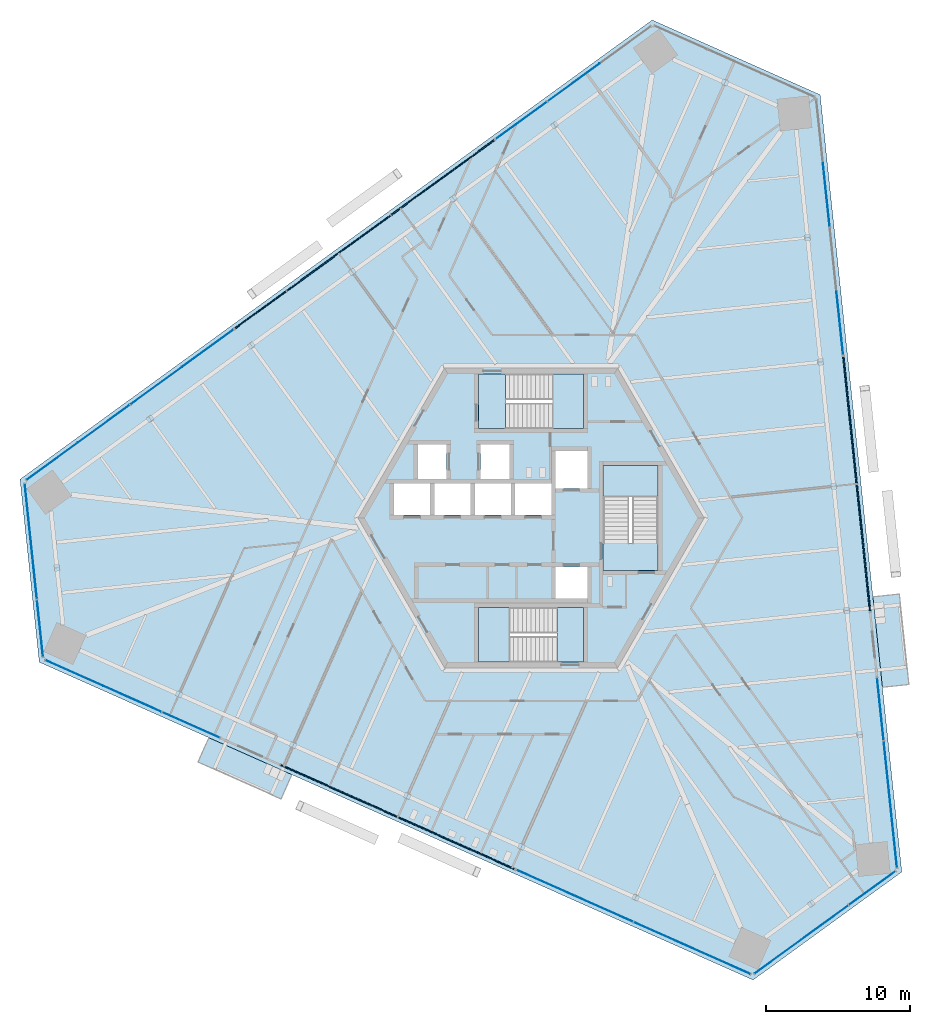
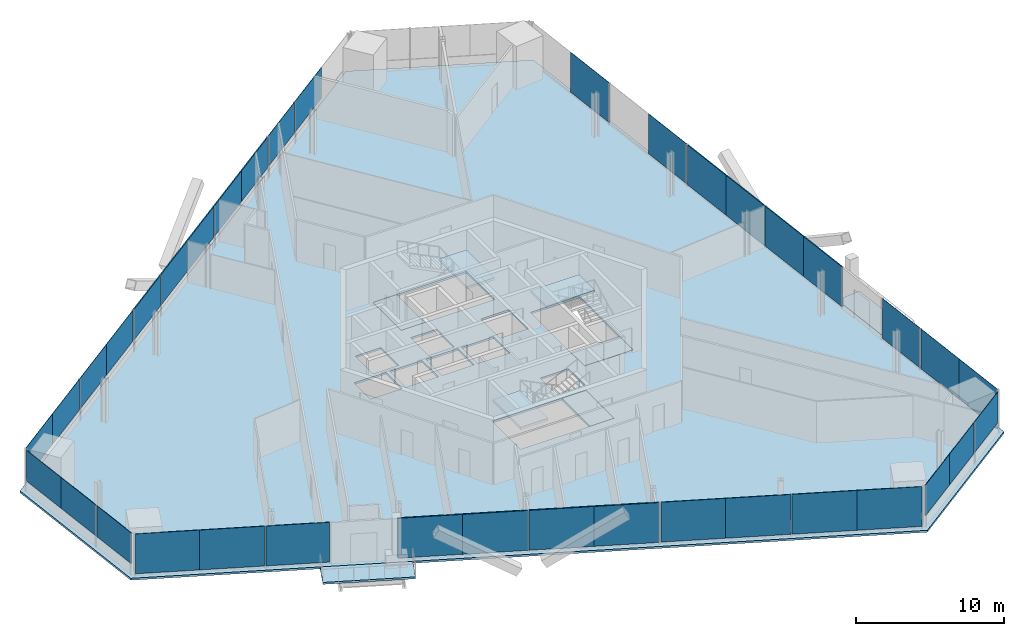
# One storey, part 10 of 19: 37 plates, 9 slabs, 14 elements without a shape of their own.
"""IFC4 building model written with IfcOpenShell, lengths in metres."""

from ifc_helpers import new_model, si_unit, direction, frame, origin, origin_2d, place, context, subcontext, project, spatial, polyline, rectangle, outline, extrude, source, transform, mapped, material, layer, layer_set, type_object, element, aggregate, save


model = new_model("IFC4")

# Units and contexts
model_context = context("Model", 3, precision=1e-05, world=origin(), true_north=direction((0.0, 1.0)))
body_context = subcontext(model_context, "Body", "Model", "MODEL_VIEW")
ifc_project = project(units=[si_unit("LENGTHUNIT", "METRE"), si_unit("AREAUNIT", "SQUARE_METRE"), si_unit("VOLUMEUNIT", "CUBIC_METRE"), si_unit("PLANEANGLEUNIT", "RADIAN"), si_unit("MASSUNIT", "GRAM", prefix="KILO")], contexts=[model_context])

# Site, building, storey
site_placement = place(None, origin())
site = spatial("IfcSite", under=ifc_project, at=site_placement, CompositionType="ELEMENT")
building_placement = place(site_placement, origin())
building = spatial("IfcBuilding", under=site, at=building_placement, Name="Triune Harvest Tower", CompositionType="ELEMENT")
storey_placement = place(building_placement, frame((0.0, 0.0, 76.5)))
storey = spatial("IfcBuildingStorey", under=building, at=storey_placement, Name="L18", CompositionType="ELEMENT", Elevation=76.5)

# Slabs
ifc_material_1 = material(Name="Concrete 40 MPa", Category="concrete")
ifc_layer_1 = layer(ifc_material_1, 0.159912109375)
ifc_layer_set_1 = layer_set([ifc_layer_1], Name="Concrete 40 MPa")
slab_type_1 = type_object("IfcSlabType", Name="BA-1 balcony slab 160", PredefinedType="FLOOR", material=ifc_layer_set_1)
slab_1_placement = place(storey_placement, frame((0.0, 0.0, -0.159912109375)))
element("IfcSlab", 1, at=slab_1_placement, inside=storey, type_object=slab_type_1, Name="Balcony slab B2-F1 L18.4", PredefinedType="FLOOR", context=body_context, shape_type="SweptSolid", body=[
    extrude(outline(polyline([(24.357421875, -11.732177734375), (23.69873046875, -5.46484375), (25.533447265625, -5.272216796875), (26.192138671875, -11.539306640625), (24.357421875, -11.732177734375)])), origin(), (0.0, 0.0, 1.0), 0.159912109375),
])
slab_2_placement = place(storey_placement, frame((0.0, 0.0, -0.159912109375)))
element("IfcSlab", 2, at=slab_2_placement, inside=storey, type_object=slab_type_1, Name="Balcony slab B2-F5 L18.4", PredefinedType="FLOOR", context=body_context, shape_type="SweptSolid", body=[
    extrude(outline(polyline([(-22.339111328125, -15.228271484375), (-16.582275390625, -17.791259765625), (-17.33251953125, -19.4765625), (-23.08935546875, -16.913330078125), (-22.339111328125, -15.228271484375)])), origin(), (0.0, 0.0, 1.0), 0.159912109375),
])
ifc_material_2 = material(Name="Concrete 40 MPa", Category="concrete")
ifc_layer_2 = layer(ifc_material_2, 0.159912109375)
ifc_layer_set_2 = layer_set([ifc_layer_2], Name="Concrete 40 MPa")
slab_type_2 = type_object("IfcSlabType", Name="SL-1 Composite floor slab 160", PredefinedType="FLOOR", material=ifc_layer_set_2)
shared_shape_1 = source(origin(), body_context, "Body", "SweptSolid", [
    extrude(outline(polyline([(25.703125, -24.534423828125), (20.04052734375, 29.34228515625), (8.395751953125, 34.526611328125), (-35.431396484375, 2.6845703125), (-34.098876953125, -9.992431640625), (15.390869140625, -32.026611328125), (25.703125, -24.534423828125)]), holes=[polyline([(-7.0, 0.2099609375), (-7.0, 2.409912109375), (-9.5, 2.409912109375), (-9.5, 0.2099609375), (-7.0, 0.2099609375)]), polyline([(-4.199951171875, 0.2099609375), (-4.199951171875, 2.409912109375), (-6.699951171875, 2.409912109375), (-6.699951171875, 0.2099609375), (-4.199951171875, 0.2099609375)]), polyline([(-1.39990234375, 0.2099609375), (-1.39990234375, 2.409912109375), (-3.89990234375, 2.409912109375), (-3.89990234375, 0.2099609375), (-1.39990234375, 0.2099609375)]), polyline([(1.39990234375, 0.2099609375), (1.39990234375, 2.409912109375), (-1.10009765625, 2.409912109375), (-1.10009765625, 0.2099609375), (1.39990234375, 0.2099609375)]), polyline([(3.89990234375, 2.06005859375), (3.89990234375, 4.659912109375), (1.699951171875, 4.659912109375), (1.699951171875, 2.06005859375), (3.89990234375, 2.06005859375)]), polyline([(3.89990234375, -5.590087890625), (3.89990234375, -3.389892578125), (1.699951171875, -3.389892578125), (1.699951171875, -5.590087890625), (3.89990234375, -5.590087890625)]), polyline([(-5.85009765625, 2.7099609375), (-5.85009765625, 5.110107421875), (-7.85009765625, 5.110107421875), (-7.85009765625, 2.7099609375), (-5.85009765625, 2.7099609375)]), polyline([(-1.5, 2.7099609375), (-1.5, 5.110107421875), (-3.5, 5.110107421875), (-3.5, 2.7099609375), (-1.5, 2.7099609375)]), polyline([(3.64990234375, 6.18994140625), (3.64990234375, 9.989990234375), (-3.64990234375, 9.989990234375), (-3.64990234375, 6.18994140625), (3.64990234375, 6.18994140625)]), polyline([(3.64990234375, -9.989990234375), (3.64990234375, -6.18994140625), (-3.64990234375, -6.18994140625), (-3.64990234375, -9.989990234375), (3.64990234375, -9.989990234375)]), polyline([(8.800048828125, -3.64990234375), (8.800048828125, 3.64990234375), (5.0, 3.64990234375), (5.0, -3.64990234375), (8.800048828125, -3.64990234375)])]), origin(), (0.0, 0.0, 1.0), 0.159912109375),
])
slab_3_placement = place(storey_placement, frame((0.0, 0.0, -0.159912109375)))
element("IfcSlab", 3, at=slab_3_placement, inside=storey, type_object=slab_type_2, Name="slab/L18/1", PredefinedType="FLOOR", context=body_context, shape_type="MappedRepresentation", body=[
    mapped(shared_shape_1, transform((0.0, 0.0, 0.0), scale=1.0)),
])

# Stair, slabs
ifc_material_3 = material(Name="Concrete 40 MPa", Category="concrete")
stair_type = type_object("IfcStairType", Name="Exit stair 1800 half turn", PredefinedType="HALF_TURN_STAIR", material=ifc_material_3)
stair_1_placement = place(storey_placement, origin())
stair_1 = element("IfcStair", 4, at=stair_1_placement, inside=storey, type_object=stair_type, Name="Exit stair north", PredefinedType="HALF_TURN_STAIR")
ifc_material_4 = material(Name="Concrete 40 MPa", Category="concrete")
ifc_layer_3 = layer(ifc_material_4, 0.199951171875)
ifc_layer_set_3 = layer_set([ifc_layer_3], Name="Concrete 40 MPa")
slab_type_3 = type_object("IfcSlabType", Name="Stair landing 200", PredefinedType="LANDING", material=ifc_layer_set_3)
shared_shape_2 = source(origin(), body_context, "Body", "SweptSolid", [
    extrude(outline(polyline([(1.510009765625, 6.18994140625), (3.64990234375, 6.18994140625), (3.64990234375, 9.989990234375), (1.510009765625, 9.989990234375), (1.510009765625, 6.18994140625)])), origin(), (0.0, 0.0, 1.0), 0.199951171875),
])
slab_4_placement = place(storey_placement, frame((0.0, 0.0, 1.60009765625)))
slab_4 = element("IfcSlab", 5, at=slab_4_placement, type_object=slab_type_3, Name="ST-1 landing 2", PredefinedType="LANDING", context=body_context, shape_type="MappedRepresentation", body=[
    mapped(shared_shape_2, transform((0.0, 0.0, 0.0), scale=1.0)),
])
shared_shape_3 = source(origin(), body_context, "Body", "SweptSolid", [
    extrude(outline(polyline([(-3.64990234375, 6.18994140625), (-1.780029296875, 6.18994140625), (-1.780029296875, 9.989990234375), (-3.64990234375, 9.989990234375), (-3.64990234375, 6.18994140625)])), origin(), (0.0, 0.0, 1.0), 0.199951171875),
])
slab_5_placement = place(storey_placement, frame((0.0, 0.0, -0.199951171875)))
slab_5 = element("IfcSlab", 6, at=slab_5_placement, type_object=slab_type_3, Name="ST-1 landing 1", PredefinedType="LANDING", context=body_context, shape_type="MappedRepresentation", body=[
    mapped(shared_shape_3, transform((0.0, 0.0, 0.0), scale=1.0)),
])
aggregate(stair_1, [slab_5, slab_4])

stair_2_placement = place(storey_placement, origin())
stair_2 = element("IfcStair", 7, at=stair_2_placement, inside=storey, type_object=stair_type, Name="Exit stair south", PredefinedType="HALF_TURN_STAIR")
shared_shape_4 = source(origin(), body_context, "Body", "SweptSolid", [
    extrude(outline(polyline([(-1.510009765625, -6.18994140625), (-3.64990234375, -6.18994140625), (-3.64990234375, -9.989990234375), (-1.510009765625, -9.989990234375), (-1.510009765625, -6.18994140625)])), origin(), (0.0, 0.0, 1.0), 0.199951171875),
])
slab_6_placement = place(storey_placement, frame((0.0, 0.0, 1.60009765625)))
slab_6 = element("IfcSlab", 8, at=slab_6_placement, type_object=slab_type_3, Name="ST-2 landing 2", PredefinedType="LANDING", context=body_context, shape_type="MappedRepresentation", body=[
    mapped(shared_shape_4, transform((0.0, 0.0, 0.0), scale=1.0)),
])
shared_shape_5 = source(origin(), body_context, "Body", "SweptSolid", [
    extrude(outline(polyline([(3.64990234375, -6.18994140625), (1.780029296875, -6.18994140625), (1.780029296875, -9.989990234375), (3.64990234375, -9.989990234375), (3.64990234375, -6.18994140625)])), origin(), (0.0, 0.0, 1.0), 0.199951171875),
])
slab_7_placement = place(storey_placement, frame((0.0, 0.0, -0.199951171875)))
slab_7 = element("IfcSlab", 9, at=slab_7_placement, type_object=slab_type_3, Name="ST-2 landing 1", PredefinedType="LANDING", context=body_context, shape_type="MappedRepresentation", body=[
    mapped(shared_shape_5, transform((0.0, 0.0, 0.0), scale=1.0)),
])
aggregate(stair_2, [slab_7, slab_6])

stair_3_placement = place(storey_placement, origin())
stair_3 = element("IfcStair", 10, at=stair_3_placement, inside=storey, type_object=stair_type, Name="Exit stair east", PredefinedType="HALF_TURN_STAIR")
shared_shape_6 = source(origin(), body_context, "Body", "SweptSolid", [
    extrude(outline(polyline([(8.800048828125, 1.510009765625), (8.800048828125, 3.64990234375), (5.0, 3.64990234375), (5.0, 1.510009765625), (8.800048828125, 1.510009765625)])), origin(), (0.0, 0.0, 1.0), 0.199951171875),
])
slab_8_placement = place(storey_placement, frame((0.0, 0.0, 1.60009765625)))
slab_8 = element("IfcSlab", 11, at=slab_8_placement, type_object=slab_type_3, Name="ST-3 landing 2", PredefinedType="LANDING", context=body_context, shape_type="MappedRepresentation", body=[
    mapped(shared_shape_6, transform((0.0, 0.0, 0.0), scale=1.0)),
])
shared_shape_7 = source(origin(), body_context, "Body", "SweptSolid", [
    extrude(outline(polyline([(8.800048828125, -3.64990234375), (8.800048828125, -1.780029296875), (5.0, -1.780029296875), (5.0, -3.64990234375), (8.800048828125, -3.64990234375)])), origin(), (0.0, 0.0, 1.0), 0.199951171875),
])
slab_9_placement = place(storey_placement, frame((0.0, 0.0, -0.199951171875)))
slab_9 = element("IfcSlab", 12, at=slab_9_placement, type_object=slab_type_3, Name="ST-3 landing 1", PredefinedType="LANDING", context=body_context, shape_type="MappedRepresentation", body=[
    mapped(shared_shape_7, transform((0.0, 0.0, 0.0), scale=1.0)),
])
aggregate(stair_3, [slab_9, slab_8])

# Curtain wall, plates
ifc_material_5 = material(Name="Aluminium bronze anodised", Category="aluminium")
curtain_wall_type_1 = type_object("IfcCurtainWallType", Name="CW-1 Tower stick curtain wall", PredefinedType="NOTDEFINED", material=ifc_material_5)
curtain_wall_1_placement = place(storey_placement, origin())
curtain_wall_1 = element("IfcCurtainWall", 13, at=curtain_wall_1_placement, inside=storey, type_object=curtain_wall_type_1, Name="CW-1 B2-F4 L18 run 1")
ifc_material_6 = material(Name="Glass", Category="glass")
ifc_layer_4 = layer(ifc_material_6, 0.031982421875)
ifc_layer_set_4 = layer_set([ifc_layer_4], Name="Glass")
plate_type_1 = type_object("IfcPlateType", Name="GL-1 panel 32", PredefinedType="CURTAIN_PANEL", material=ifc_layer_set_4)
shared_shape_8 = source(origin(), body_context, "Body", "SweptSolid", [
    extrude(rectangle(XDim=3.99853515625, YDim=0.031982421875, at=origin_2d()), origin(), (0.0, 0.0, 1.0), 2.5400390625),
])
plate_1_placement = place(storey_placement, frame((-34.888671875, 0.39111328125, 0.89990234375), z_axis=(0.0, 0.0, 1.0), x_axis=(0.104529462601, -0.994521790334, 0.0)))
plate_1 = element("IfcPlate", 14, at=plate_1_placement, type_object=plate_type_1, Name="CW-1 panel B2-F4 1.1", PredefinedType="CURTAIN_PANEL", context=body_context, shape_type="MappedRepresentation", body=[
    mapped(shared_shape_8, transform((0.0, 0.0, 0.0), scale=1.0)),
])
shared_shape_9 = source(origin(), body_context, "Body", "SweptSolid", [
    extrude(rectangle(XDim=4.035888671875, YDim=0.031982421875, at=origin_2d()), origin(), (0.0, 0.0, 1.0), 2.5400390625),
])
plate_2_placement = place(storey_placement, frame((-34.46875, -3.60400390625, 0.89990234375), z_axis=(0.0, 0.0, 1.0), x_axis=(0.104529462601, -0.994521790334, 0.0)))
plate_2 = element("IfcPlate", 15, at=plate_2_placement, type_object=plate_type_1, Name="CW-1 panel B2-F4 1.2", PredefinedType="CURTAIN_PANEL", context=body_context, shape_type="MappedRepresentation", body=[
    mapped(shared_shape_9, transform((0.0, 0.0, 0.0), scale=1.0)),
])

# Curtain wall, plate
curtain_wall_2_placement = place(storey_placement, origin())
curtain_wall_2 = element("IfcCurtainWall", 16, at=curtain_wall_2_placement, inside=storey, type_object=curtain_wall_type_1, Name="CW-1 B2-F6 L18 run 1")
plate_3_placement = place(storey_placement, frame((20.35546875, -28.048828125, 0.89990234375), z_axis=(0.0, 0.0, 1.0), x_axis=(0.809013235692, 0.58779042564, 0.0)))
plate_3 = element("IfcPlate", 17, at=plate_3_placement, type_object=plate_type_1, Name="CW-1 panel B2-F6 1.2", PredefinedType="CURTAIN_PANEL", context=body_context, shape_type="MappedRepresentation", body=[
    mapped(shared_shape_9, transform((0.0, 0.0, 0.0), scale=1.0)),
])

# Plate
shared_shape_10 = source(origin(), body_context, "Body", "SweptSolid", [
    extrude(rectangle(XDim=3.9609375, YDim=0.031982421875, at=origin_2d()), origin(), (0.0, 0.0, 1.0), 2.5400390625),
])
plate_4_placement = place(storey_placement, frame((-34.04296875, -7.655029296875, 0.89990234375), z_axis=(0.0, 0.0, 1.0), x_axis=(0.104529462601, -0.994521790334, 0.0)))
plate_4 = element("IfcPlate", 18, at=plate_4_placement, type_object=plate_type_1, Name="CW-1 panel B2-F4 1.3", PredefinedType="CURTAIN_PANEL", context=body_context, shape_type="MappedRepresentation", body=[
    mapped(shared_shape_10, transform((0.0, 0.0, 0.0), scale=1.0)),
])

aggregate(curtain_wall_1, [plate_1, plate_2, plate_4])

plate_5_placement = place(storey_placement, frame((23.65087890625, -25.654541015625, 0.89990234375), z_axis=(0.0, 0.0, 1.0), x_axis=(0.809013235692, 0.58779042564, 0.0)))
plate_5 = element("IfcPlate", 19, at=plate_5_placement, type_object=plate_type_1, Name="CW-1 panel B2-F6 1.3", PredefinedType="CURTAIN_PANEL", context=body_context, shape_type="MappedRepresentation", body=[
    mapped(shared_shape_10, transform((0.0, 0.0, 0.0), scale=1.0)),
])

shared_shape_11 = source(origin(), body_context, "Body", "SweptSolid", [
    extrude(rectangle(XDim=3.998291015625, YDim=0.031982421875, at=origin_2d()), origin(), (0.0, 0.0, 1.0), 2.5400390625),
])
plate_6_placement = place(storey_placement, frame((17.10546875, -30.41015625, 0.89990234375), z_axis=(0.0, 0.0, 1.0), x_axis=(0.809013235692, 0.58779042564, 0.0)))
plate_6 = element("IfcPlate", 20, at=plate_6_placement, type_object=plate_type_1, Name="CW-1 panel B2-F6 1.1", PredefinedType="CURTAIN_PANEL", context=body_context, shape_type="MappedRepresentation", body=[
    mapped(shared_shape_11, transform((0.0, 0.0, 0.0), scale=1.0)),
])

aggregate(curtain_wall_2, [plate_6, plate_3, plate_5])

# Curtain wall, plate
ifc_material_7 = material(Name="Aluminium bronze anodised", Category="aluminium")
curtain_wall_type_2 = type_object("IfcCurtainWallType", Name="CW-6 Balcony window wall", PredefinedType="NOTDEFINED", material=ifc_material_7)
curtain_wall_3_placement = place(storey_placement, origin())
curtain_wall_3 = element("IfcCurtainWall", 21, at=curtain_wall_3_placement, inside=storey, type_object=curtain_wall_type_2, Name="CW-6 B2-F1 L18 run 1002")
ifc_material_8 = material(Name="Glass", Category="glass")
ifc_layer_5 = layer(ifc_material_8, 0.030029296875)
ifc_layer_set_5 = layer_set([ifc_layer_5], Name="Glass")
plate_type_2 = type_object("IfcPlateType", Name="GL-6 panel 30", PredefinedType="CURTAIN_PANEL", material=ifc_layer_set_5)
shared_shape_12 = source(origin(), body_context, "Body", "SweptSolid", [
    extrude(rectangle(XDim=4.3994140625, YDim=0.030029296875, at=origin_2d()), origin(), (0.0, 0.0, 1.0), 3.2900390625),
])
plate_7_placement = place(storey_placement, frame((21.402587890625, 13.511962890625, 0.14990234375), z_axis=(0.0, 0.0, 1.0), x_axis=(-0.104529095521, 0.994521828916, 0.0)))
plate_7 = element("IfcPlate", 22, at=plate_7_placement, type_object=plate_type_2, Name="CW-6 panel B2-F1 1002.1", PredefinedType="CURTAIN_PANEL", context=body_context, shape_type="MappedRepresentation", body=[
    mapped(shared_shape_12, transform((0.0, 0.0, 0.0), scale=1.0)),
])

# Curtain wall, plates
curtain_wall_4_placement = place(storey_placement, origin())
curtain_wall_4 = element("IfcCurtainWall", 23, at=curtain_wall_4_placement, inside=storey, type_object=curtain_wall_type_2, Name="CW-6 B2-F5 L18 run 1002")
plate_8_placement = place(storey_placement, frame((1.00048828125, -25.291259765625, 0.14990234375), z_axis=(0.0, 0.0, 1.0), x_axis=(0.91354518491, -0.406737255643, 0.0)))
plate_8 = element("IfcPlate", 24, at=plate_8_placement, type_object=plate_type_2, Name="CW-6 panel B2-F5 1002.1", PredefinedType="CURTAIN_PANEL", context=body_context, shape_type="MappedRepresentation", body=[
    mapped(shared_shape_12, transform((0.0, 0.0, 0.0), scale=1.0)),
])
plate_9_placement = place(storey_placement, frame((13.194580078125, -30.720458984375, 0.14990234375), z_axis=(0.0, 0.0, 1.0), x_axis=(0.91354518491, -0.406737255643, 0.0)))
plate_9 = element("IfcPlate", 25, at=plate_9_placement, type_object=plate_type_2, Name="CW-6 panel B2-F5 1002.4", PredefinedType="CURTAIN_PANEL", context=body_context, shape_type="MappedRepresentation", body=[
    mapped(shared_shape_12, transform((0.0, 0.0, 0.0), scale=1.0)),
])

# Plate
shared_shape_13 = source(origin(), body_context, "Body", "SweptSolid", [
    extrude(rectangle(XDim=4.436767578125, YDim=0.030029296875, at=origin_2d()), origin(), (0.0, 0.0, 1.0), 3.2900390625),
])
plate_10_placement = place(storey_placement, frame((20.46923828125, 22.39306640625, 0.14990234375), z_axis=(0.0, 0.0, 1.0), x_axis=(-0.104529095521, 0.994521828916, 0.0)))
plate_10 = element("IfcPlate", 26, at=plate_10_placement, type_object=plate_type_2, Name="CW-6 panel B2-F1 1002.3", PredefinedType="CURTAIN_PANEL", context=body_context, shape_type="MappedRepresentation", body=[
    mapped(shared_shape_13, transform((0.0, 0.0, 0.0), scale=1.0)),
])

aggregate(curtain_wall_3, [plate_7, plate_10])

plate_11_placement = place(storey_placement, frame((5.03662109375, -27.08837890625, 0.14990234375), z_axis=(0.0, 0.0, 1.0), x_axis=(0.91354518491, -0.406737255643, 0.0)))
plate_11 = element("IfcPlate", 27, at=plate_11_placement, type_object=plate_type_2, Name="CW-6 panel B2-F5 1002.2", PredefinedType="CURTAIN_PANEL", context=body_context, shape_type="MappedRepresentation", body=[
    mapped(shared_shape_13, transform((0.0, 0.0, 0.0), scale=1.0)),
])

plate_12_placement = place(storey_placement, frame((9.158447265625, -28.92333984375, 0.14990234375), z_axis=(0.0, 0.0, 1.0), x_axis=(0.91354518491, -0.406737255643, 0.0)))
plate_12 = element("IfcPlate", 28, at=plate_12_placement, type_object=plate_type_2, Name="CW-6 panel B2-F5 1002.3", PredefinedType="CURTAIN_PANEL", context=body_context, shape_type="MappedRepresentation", body=[
    mapped(shared_shape_13, transform((0.0, 0.0, 0.0), scale=1.0)),
])

aggregate(curtain_wall_4, [plate_8, plate_11, plate_12, plate_9])

# Curtain wall, plates
ifc_material_9 = material(Name="Aluminium bronze anodised", Category="aluminium")
curtain_wall_type_3 = type_object("IfcCurtainWallType", Name="CW-7 Tower stick curtain wall with insulated spandrel infill", PredefinedType="NOTDEFINED", material=ifc_material_9)
curtain_wall_5_placement = place(storey_placement, origin())
curtain_wall_5 = element("IfcCurtainWall", 29, at=curtain_wall_5_placement, inside=storey, type_object=curtain_wall_type_3, Name="CW-7 B2-F3 L18 run 1001")
ifc_material_10 = material(Name="Insulated spandrel panel, bronze aluminium pan", Category="aluminium")
ifc_layer_6 = layer(ifc_material_10, 0.080078125)
ifc_layer_set_6 = layer_set([ifc_layer_6], Name="Insulated spandrel panel, bronze aluminium pan")
plate_type_3 = type_object("IfcPlateType", Name="SP-1 insulated spandrel panel 80", PredefinedType="CURTAIN_PANEL", material=ifc_layer_set_6)
shared_shape_14 = source(origin(), body_context, "Body", "SweptSolid", [
    extrude(rectangle(XDim=4.3955078125, YDim=0.080078125, at=origin_2d()), origin(), (0.0, 0.0, 1.0), 2.5400390625),
])
plate_13_placement = place(storey_placement, frame((-4.329833984375, 24.91015625, 0.89990234375), z_axis=(0.0, 0.0, 1.0), x_axis=(-0.809015925746, -0.587786723131, 0.0)))
plate_13 = element("IfcPlate", 30, at=plate_13_placement, type_object=plate_type_3, Name="CW-7 panel B2-F3 1001.1", PredefinedType="CURTAIN_PANEL", context=body_context, shape_type="MappedRepresentation", body=[
    mapped(shared_shape_14, transform((0.0, 0.0, 0.0), scale=1.0)),
])
shared_shape_15 = source(origin(), body_context, "Body", "SweptSolid", [
    extrude(rectangle(XDim=4.43310546875, YDim=0.080078125, at=origin_2d()), origin(), (0.0, 0.0, 1.0), 2.5400390625),
])
plate_14_placement = place(storey_placement, frame((-7.901123046875, 22.3154296875, 0.89990234375), z_axis=(0.0, 0.0, 1.0), x_axis=(-0.809015925746, -0.587786723131, 0.0)))
plate_14 = element("IfcPlate", 31, at=plate_14_placement, type_object=plate_type_3, Name="CW-7 panel B2-F3 1001.2", PredefinedType="CURTAIN_PANEL", context=body_context, shape_type="MappedRepresentation", body=[
    mapped(shared_shape_15, transform((0.0, 0.0, 0.0), scale=1.0)),
])
plate_15_placement = place(storey_placement, frame((-11.548095703125, 19.665771484375, 0.89990234375), z_axis=(0.0, 0.0, 1.0), x_axis=(-0.809015925746, -0.587786723131, 0.0)))
plate_15 = element("IfcPlate", 32, at=plate_15_placement, type_object=plate_type_3, Name="CW-7 panel B2-F3 1001.3", PredefinedType="CURTAIN_PANEL", context=body_context, shape_type="MappedRepresentation", body=[
    mapped(shared_shape_15, transform((0.0, 0.0, 0.0), scale=1.0)),
])
plate_16_placement = place(storey_placement, frame((-15.134521484375, 17.06005859375, 0.89990234375), z_axis=(0.0, 0.0, 1.0), x_axis=(-0.809015925746, -0.587786723131, 0.0)))
plate_16 = element("IfcPlate", 33, at=plate_16_placement, type_object=plate_type_3, Name="CW-7 panel B2-F3 1001.4", PredefinedType="CURTAIN_PANEL", context=body_context, shape_type="MappedRepresentation", body=[
    mapped(shared_shape_15, transform((0.0, 0.0, 0.0), scale=1.0)),
])

curtain_wall_6_placement = place(storey_placement, origin())
curtain_wall_6 = element("IfcCurtainWall", 34, at=curtain_wall_6_placement, inside=storey, type_object=curtain_wall_type_1, Name="CW-1 B2-F3 L18 run 2001")
shared_shape_16 = source(origin(), body_context, "Body", "SweptSolid", [
    extrude(rectangle(XDim=4.3955078125, YDim=0.031982421875, at=origin_2d()), origin(), (0.0, 0.0, 1.0), 2.5400390625),
])
plate_17_placement = place(storey_placement, frame((-22.41357421875, 11.771484375, 0.89990234375), z_axis=(0.0, 0.0, 1.0), x_axis=(-0.809018475536, -0.587783213644, 0.0)))
plate_17 = element("IfcPlate", 35, at=plate_17_placement, type_object=plate_type_1, Name="CW-1 panel B2-F3 2001.1", PredefinedType="CURTAIN_PANEL", context=body_context, shape_type="MappedRepresentation", body=[
    mapped(shared_shape_16, transform((0.0, 0.0, 0.0), scale=1.0)),
])
plate_18_placement = place(storey_placement, frame((-33.203369140625, 3.932373046875, 0.89990234375), z_axis=(0.0, 0.0, 1.0), x_axis=(-0.809018475536, -0.587783213644, 0.0)))
plate_18 = element("IfcPlate", 36, at=plate_18_placement, type_object=plate_type_1, Name="CW-1 panel B2-F3 2001.4", PredefinedType="CURTAIN_PANEL", context=body_context, shape_type="MappedRepresentation", body=[
    mapped(shared_shape_16, transform((0.0, 0.0, 0.0), scale=1.0)),
])

# Curtain wall, plate
curtain_wall_7_placement = place(storey_placement, origin())
curtain_wall_7 = element("IfcCurtainWall", 37, at=curtain_wall_7_placement, inside=storey, type_object=curtain_wall_type_1, Name="CW-1 B2-F3 L18 run 1")
shared_shape_17 = source(origin(), body_context, "Body", "SweptSolid", [
    extrude(rectangle(XDim=4.43310546875, YDim=0.031982421875, at=origin_2d()), origin(), (0.0, 0.0, 1.0), 2.5400390625),
])
plate_19_placement = place(storey_placement, frame((2.94921875, 30.19873046875, 0.89990234375), z_axis=(0.0, 0.0, 1.0), x_axis=(-0.809016876799, -0.587785414122, 0.0)))
plate_19 = element("IfcPlate", 38, at=plate_19_placement, type_object=plate_type_1, Name="CW-1 panel B2-F3 1.2", PredefinedType="CURTAIN_PANEL", context=body_context, shape_type="MappedRepresentation", body=[
    mapped(shared_shape_17, transform((0.0, 0.0, 0.0), scale=1.0)),
])

# Plate
plate_20_placement = place(storey_placement, frame((-25.98486328125, 9.1767578125, 0.89990234375), z_axis=(0.0, 0.0, 1.0), x_axis=(-0.809018475536, -0.587783213644, 0.0)))
plate_20 = element("IfcPlate", 39, at=plate_20_placement, type_object=plate_type_1, Name="CW-1 panel B2-F3 2001.2", PredefinedType="CURTAIN_PANEL", context=body_context, shape_type="MappedRepresentation", body=[
    mapped(shared_shape_17, transform((0.0, 0.0, 0.0), scale=1.0)),
])

plate_21_placement = place(storey_placement, frame((-29.632080078125, 6.527099609375, 0.89990234375), z_axis=(0.0, 0.0, 1.0), x_axis=(-0.809018475536, -0.587783213644, 0.0)))
plate_21 = element("IfcPlate", 40, at=plate_21_placement, type_object=plate_type_1, Name="CW-1 panel B2-F3 2001.3", PredefinedType="CURTAIN_PANEL", context=body_context, shape_type="MappedRepresentation", body=[
    mapped(shared_shape_17, transform((0.0, 0.0, 0.0), scale=1.0)),
])

aggregate(curtain_wall_6, [plate_17, plate_20, plate_21, plate_18])

shared_shape_18 = source(origin(), body_context, "Body", "SweptSolid", [
    extrude(rectangle(XDim=4.358154296875, YDim=0.031982421875, at=origin_2d()), origin(), (0.0, 0.0, 1.0), 2.5400390625),
])
plate_22_placement = place(storey_placement, frame((-0.66748046875, 27.571044921875, 0.89990234375), z_axis=(0.0, 0.0, 1.0), x_axis=(-0.809016876799, -0.587785414122, 0.0)))
plate_22 = element("IfcPlate", 41, at=plate_22_placement, type_object=plate_type_1, Name="CW-1 panel B2-F3 1.3", PredefinedType="CURTAIN_PANEL", context=body_context, shape_type="MappedRepresentation", body=[
    mapped(shared_shape_18, transform((0.0, 0.0, 0.0), scale=1.0)),
])

aggregate(curtain_wall_7, [plate_19, plate_22])

shared_shape_19 = source(origin(), body_context, "Body", "SweptSolid", [
    extrude(rectangle(XDim=4.358154296875, YDim=0.080078125, at=origin_2d()), origin(), (0.0, 0.0, 1.0), 2.5400390625),
])
plate_23_placement = place(storey_placement, frame((-18.75146484375, 14.432373046875, 0.89990234375), z_axis=(0.0, 0.0, 1.0), x_axis=(-0.809015925746, -0.587786723131, 0.0)))
plate_23 = element("IfcPlate", 42, at=plate_23_placement, type_object=plate_type_3, Name="CW-7 panel B2-F3 1001.5", PredefinedType="CURTAIN_PANEL", context=body_context, shape_type="MappedRepresentation", body=[
    mapped(shared_shape_19, transform((0.0, 0.0, 0.0), scale=1.0)),
])

aggregate(curtain_wall_5, [plate_13, plate_14, plate_15, plate_16, plate_23])

# Curtain wall, plates
ifc_material_11 = material(Name="Aluminium bronze anodised", Category="aluminium")
curtain_wall_type_4 = type_object("IfcCurtainWallType", Name="CW-10 Balcony window wall with insulated spandrel infill", PredefinedType="NOTDEFINED", material=ifc_material_11)
curtain_wall_8_placement = place(storey_placement, origin())
curtain_wall_8 = element("IfcCurtainWall", 43, at=curtain_wall_8_placement, inside=storey, type_object=curtain_wall_type_4, Name="CW-10 B2-F1 L18 run 2")
shared_shape_20 = source(origin(), body_context, "Body", "SweptSolid", [
    extrude(rectangle(XDim=4.3994140625, YDim=0.080078125, at=origin_2d()), origin(), (0.0, 0.0, 1.0), 3.2900390625),
])
plate_24_placement = place(storey_placement, frame((23.2734375, -4.287353515625, 0.14990234375), z_axis=(0.0, 0.0, 1.0), x_axis=(-0.104525977613, 0.994522156618, 0.0)))
plate_24 = element("IfcPlate", 44, at=plate_24_placement, type_object=plate_type_3, Name="CW-10 panel B2-F1 2.1", PredefinedType="CURTAIN_PANEL", context=body_context, shape_type="MappedRepresentation", body=[
    mapped(shared_shape_20, transform((0.0, 0.0, 0.0), scale=1.0)),
])
plate_25_placement = place(storey_placement, frame((21.878173828125, 8.987548828125, 0.14990234375), z_axis=(0.0, 0.0, 1.0), x_axis=(-0.104525977613, 0.994522156618, 0.0)))
plate_25 = element("IfcPlate", 45, at=plate_25_placement, type_object=plate_type_3, Name="CW-10 panel B2-F1 2.4", PredefinedType="CURTAIN_PANEL", context=body_context, shape_type="MappedRepresentation", body=[
    mapped(shared_shape_20, transform((0.0, 0.0, 0.0), scale=1.0)),
])

curtain_wall_9_placement = place(storey_placement, origin())
curtain_wall_9 = element("IfcCurtainWall", 46, at=curtain_wall_9_placement, inside=storey, type_object=curtain_wall_type_4, Name="CW-10 B2-F5 L18 run 2")
plate_26_placement = place(storey_placement, frame((-15.349609375, -18.01171875, 0.14990234375), z_axis=(0.0, 0.0, 1.0), x_axis=(0.91354522937, -0.406737155783, 0.0)))
plate_26 = element("IfcPlate", 47, at=plate_26_placement, type_object=plate_type_3, Name="CW-10 panel B2-F5 2.1", PredefinedType="CURTAIN_PANEL", context=body_context, shape_type="MappedRepresentation", body=[
    mapped(shared_shape_20, transform((0.0, 0.0, 0.0), scale=1.0)),
])
plate_27_placement = place(storey_placement, frame((-3.155517578125, -23.44091796875, 0.14990234375), z_axis=(0.0, 0.0, 1.0), x_axis=(0.91354522937, -0.406737155783, 0.0)))
plate_27 = element("IfcPlate", 48, at=plate_27_placement, type_object=plate_type_3, Name="CW-10 panel B2-F5 2.4", PredefinedType="CURTAIN_PANEL", context=body_context, shape_type="MappedRepresentation", body=[
    mapped(shared_shape_20, transform((0.0, 0.0, 0.0), scale=1.0)),
])

# Plate
shared_shape_21 = source(origin(), body_context, "Body", "SweptSolid", [
    extrude(rectangle(XDim=4.436767578125, YDim=0.080078125, at=origin_2d()), origin(), (0.0, 0.0, 1.0), 3.2900390625),
])
plate_28_placement = place(storey_placement, frame((22.8115234375, 0.106689453125, 0.14990234375), z_axis=(0.0, 0.0, 1.0), x_axis=(-0.104525977613, 0.994522156618, 0.0)))
plate_28 = element("IfcPlate", 49, at=plate_28_placement, type_object=plate_type_3, Name="CW-10 panel B2-F1 2.2", PredefinedType="CURTAIN_PANEL", context=body_context, shape_type="MappedRepresentation", body=[
    mapped(shared_shape_21, transform((0.0, 0.0, 0.0), scale=1.0)),
])

plate_29_placement = place(storey_placement, frame((22.33984375, 4.59375, 0.14990234375), z_axis=(0.0, 0.0, 1.0), x_axis=(-0.104525977613, 0.994522156618, 0.0)))
plate_29 = element("IfcPlate", 50, at=plate_29_placement, type_object=plate_type_3, Name="CW-10 panel B2-F1 2.3", PredefinedType="CURTAIN_PANEL", context=body_context, shape_type="MappedRepresentation", body=[
    mapped(shared_shape_21, transform((0.0, 0.0, 0.0), scale=1.0)),
])

aggregate(curtain_wall_8, [plate_24, plate_28, plate_29, plate_25])

plate_30_placement = place(storey_placement, frame((-11.3134765625, -19.808837890625, 0.14990234375), z_axis=(0.0, 0.0, 1.0), x_axis=(0.91354522937, -0.406737155783, 0.0)))
plate_30 = element("IfcPlate", 51, at=plate_30_placement, type_object=plate_type_3, Name="CW-10 panel B2-F5 2.2", PredefinedType="CURTAIN_PANEL", context=body_context, shape_type="MappedRepresentation", body=[
    mapped(shared_shape_21, transform((0.0, 0.0, 0.0), scale=1.0)),
])

plate_31_placement = place(storey_placement, frame((-7.191650390625, -21.643798828125, 0.14990234375), z_axis=(0.0, 0.0, 1.0), x_axis=(0.91354522937, -0.406737155783, 0.0)))
plate_31 = element("IfcPlate", 52, at=plate_31_placement, type_object=plate_type_3, Name="CW-10 panel B2-F5 2.3", PredefinedType="CURTAIN_PANEL", context=body_context, shape_type="MappedRepresentation", body=[
    mapped(shared_shape_21, transform((0.0, 0.0, 0.0), scale=1.0)),
])

aggregate(curtain_wall_9, [plate_26, plate_30, plate_31, plate_27])

# Curtain wall, plate
curtain_wall_10_placement = place(storey_placement, origin())
curtain_wall_10 = element("IfcCurtainWall", 53, at=curtain_wall_10_placement, inside=storey, type_object=curtain_wall_type_2, Name="CW-6 B2-F1 L18 run 1")
shared_shape_22 = source(origin(), body_context, "Body", "SweptSolid", [
    extrude(rectangle(XDim=4.380615234375, YDim=0.030029296875, at=origin_2d()), origin(), (0.0, 0.0, 1.0), 3.2900390625),
])
plate_32_placement = place(storey_placement, frame((25.140380859375, -22.051025390625, 0.14990234375), z_axis=(0.0, 0.0, 1.0), x_axis=(-0.104527536558, 0.994521992769, 0.0)))
plate_32 = element("IfcPlate", 54, at=plate_32_placement, type_object=plate_type_2, Name="CW-6 panel B2-F1 1.1", PredefinedType="CURTAIN_PANEL", context=body_context, shape_type="MappedRepresentation", body=[
    mapped(shared_shape_22, transform((0.0, 0.0, 0.0), scale=1.0)),
])

curtain_wall_11_placement = place(storey_placement, origin())
curtain_wall_11 = element("IfcCurtainWall", 55, at=curtain_wall_11_placement, inside=storey, type_object=curtain_wall_type_2, Name="CW-6 B2-F5 L18 run 1")
plate_33_placement = place(storey_placement, frame((-31.6669921875, -10.746826171875, 0.14990234375), z_axis=(0.0, 0.0, 1.0), x_axis=(0.913545207137, -0.406737205721, 0.0)))
plate_33 = element("IfcPlate", 56, at=plate_33_placement, type_object=plate_type_2, Name="CW-6 panel B2-F5 1.1", PredefinedType="CURTAIN_PANEL", context=body_context, shape_type="MappedRepresentation", body=[
    mapped(shared_shape_22, transform((0.0, 0.0, 0.0), scale=1.0)),
])

# Plate
shared_shape_23 = source(origin(), body_context, "Body", "SweptSolid", [
    extrude(rectangle(XDim=4.41796875, YDim=0.030029296875, at=origin_2d()), origin(), (0.0, 0.0, 1.0), 3.2900390625),
])
plate_34_placement = place(storey_placement, frame((24.6806640625, -17.67578125, 0.14990234375), z_axis=(0.0, 0.0, 1.0), x_axis=(-0.104527536558, 0.994521992769, 0.0)))
plate_34 = element("IfcPlate", 57, at=plate_34_placement, type_object=plate_type_2, Name="CW-6 panel B2-F1 1.2", PredefinedType="CURTAIN_PANEL", context=body_context, shape_type="MappedRepresentation", body=[
    mapped(shared_shape_23, transform((0.0, 0.0, 0.0), scale=1.0)),
])

plate_35_placement = place(storey_placement, frame((-27.64794921875, -12.5361328125, 0.14990234375), z_axis=(0.0, 0.0, 1.0), x_axis=(0.913545207137, -0.406737205721, 0.0)))
plate_35 = element("IfcPlate", 58, at=plate_35_placement, type_object=plate_type_2, Name="CW-6 panel B2-F5 1.2", PredefinedType="CURTAIN_PANEL", context=body_context, shape_type="MappedRepresentation", body=[
    mapped(shared_shape_23, transform((0.0, 0.0, 0.0), scale=1.0)),
])

shared_shape_24 = source(origin(), body_context, "Body", "SweptSolid", [
    extrude(rectangle(XDim=4.343017578125, YDim=0.030029296875, at=origin_2d()), origin(), (0.0, 0.0, 1.0), 3.2900390625),
])
plate_36_placement = place(storey_placement, frame((24.21484375, -13.24462890625, 0.14990234375), z_axis=(0.0, 0.0, 1.0), x_axis=(-0.104527536558, 0.994521992769, 0.0)))
plate_36 = element("IfcPlate", 59, at=plate_36_placement, type_object=plate_type_2, Name="CW-6 panel B2-F1 1.3", PredefinedType="CURTAIN_PANEL", context=body_context, shape_type="MappedRepresentation", body=[
    mapped(shared_shape_24, transform((0.0, 0.0, 0.0), scale=1.0)),
])

aggregate(curtain_wall_10, [plate_32, plate_34, plate_36])

plate_37_placement = place(storey_placement, frame((-23.57763671875, -14.348388671875, 0.14990234375), z_axis=(0.0, 0.0, 1.0), x_axis=(0.913545207137, -0.406737205721, 0.0)))
plate_37 = element("IfcPlate", 60, at=plate_37_placement, type_object=plate_type_2, Name="CW-6 panel B2-F5 1.3", PredefinedType="CURTAIN_PANEL", context=body_context, shape_type="MappedRepresentation", body=[
    mapped(shared_shape_24, transform((0.0, 0.0, 0.0), scale=1.0)),
])

aggregate(curtain_wall_11, [plate_33, plate_35, plate_37])

save(model, "model.ifc")
